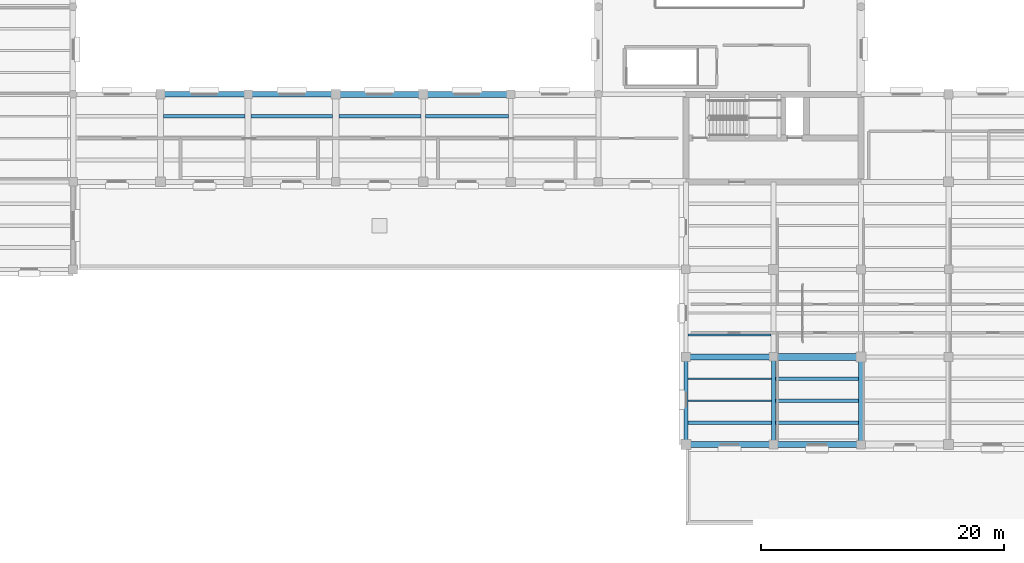
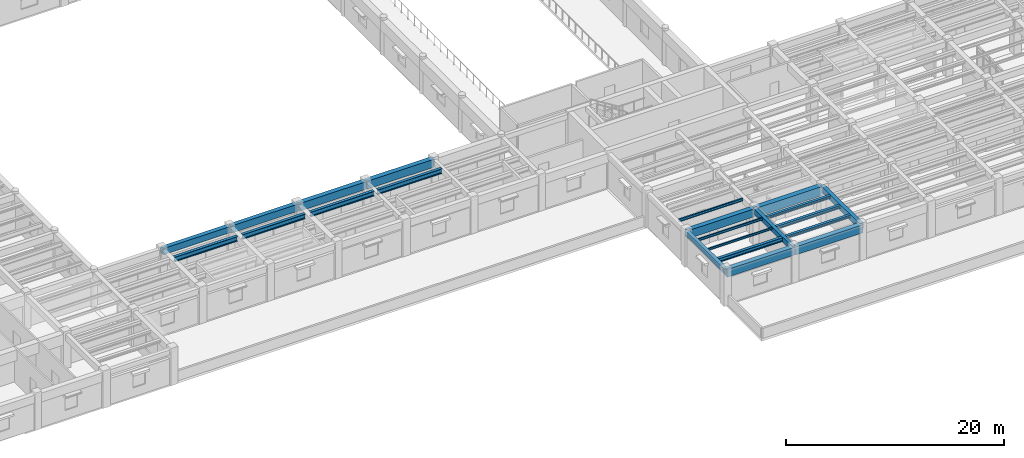
# One storey, part 7 of 76: 22 beams.
"""IFC4 building model written with IfcOpenShell, lengths in metres."""

from ifc_helpers import new_model, si_unit, direction, frame, origin, origin_2d, place, context, subcontext, project, spatial, rectangle, i_section, extrude, material, material_profile, profile_set, type_object, element, save


model = new_model("IFC4")

# Units and contexts
model_context = context("Model", 3, precision=1e-05, world=origin(), true_north=direction((0.0, 1.0)))
body_context = subcontext(model_context, "Body", "Model", "MODEL_VIEW")
ifc_project = project(units=[si_unit("LENGTHUNIT", "METRE"), si_unit("AREAUNIT", "SQUARE_METRE"), si_unit("VOLUMEUNIT", "CUBIC_METRE"), si_unit("PLANEANGLEUNIT", "RADIAN"), si_unit("MASSUNIT", "GRAM", prefix="KILO")], contexts=[model_context])

# Site, building, storey
site_placement = place(None, origin())
site = spatial("IfcSite", under=ifc_project, at=site_placement, CompositionType="ELEMENT")
building_placement = place(site_placement, origin())
building = spatial("IfcBuilding", under=site, at=building_placement, Name="Mithqara Police Headquarters", CompositionType="ELEMENT")
storey_placement = place(building_placement, frame((0.0, 0.0, 5.39990234375)))
storey = spatial("IfcBuildingStorey", under=building, at=storey_placement, Name="L01", CompositionType="ELEMENT", Elevation=5.39990234375)

# Beams
ifc_material_1 = material(Name="Steel S355JR", Category="steel")
ifc_material_profile_1 = material_profile(ifc_material_1, i_section(OverallWidth=0.300048828125, OverallDepth=0.300048828125, WebThickness=0.010986328125, FlangeThickness=0.01904296875, FilletRadius=0.027099609375, at=origin_2d()), Name="HEB 300")
ifc_profile_set_1 = profile_set([ifc_material_profile_1], Name="Steel S355JR")
beam_type_1 = type_object("IfcBeamType", Name="BEAM HEB300", PredefinedType="BEAM", material=ifc_profile_set_1)
beam_1_placement = place(storey_placement, frame((87.175048828125, 12.0, 3.77001953125), z_axis=(1.0, 0.0, 0.0), x_axis=(0.0, 1.0, 0.0)))
element("IfcBeam", 1, at=beam_1_placement, inside=storey, type_object=beam_type_1, Name="L01 Composite Steel Joist 13-14/B.3", PredefinedType="BEAM", context=body_context, shape_type="SweptSolid", body=[
    extrude(i_section(OverallWidth=0.300048828125, OverallDepth=0.300048828125, WebThickness=0.010986328125, FlangeThickness=0.01904296875, FilletRadius=0.027099609375, at=origin_2d()), origin(), (0.0, 0.0, 1.0), 6.824951171875),
])
ifc_material_profile_2 = material_profile(ifc_material_1, i_section(OverallWidth=0.300048828125, OverallDepth=0.449951171875, WebThickness=0.013916015625, FlangeThickness=0.02587890625, FilletRadius=0.027099609375, at=origin_2d()), Name="HEB 450")
ifc_profile_set_2 = profile_set([ifc_material_profile_2], Name="Steel S355JR")
beam_type_2 = type_object("IfcBeamType", Name="BEAM HEB450", PredefinedType="BEAM", material=ifc_profile_set_2)
beam_2_placement = place(storey_placement, frame((79.97509765625, 8.39990234375, 3.695068359375), z_axis=(1.0, 0.0, 0.0), x_axis=(0.0, 1.0, 0.0)))
element("IfcBeam", 2, at=beam_2_placement, inside=storey, type_object=beam_type_2, Name="L01 Composite Steel Joist 12-13/B.1", PredefinedType="BEAM", context=body_context, shape_type="SweptSolid", body=[
    extrude(i_section(OverallWidth=0.300048828125, OverallDepth=0.449951171875, WebThickness=0.013916015625, FlangeThickness=0.02587890625, FilletRadius=0.027099609375, at=origin_2d()), origin(), (0.0, 0.0, 1.0), 6.849853515625),
])
ifc_material_profile_3 = material_profile(ifc_material_1, i_section(OverallWidth=0.300048828125, OverallDepth=0.550048828125, WebThickness=0.014892578125, FlangeThickness=0.029052734375, FilletRadius=0.027099609375, at=origin_2d()), Name="HEB 550")
ifc_profile_set_3 = profile_set([ifc_material_profile_3], Name="Steel S355JR")
beam_type_3 = type_object("IfcBeamType", Name="BEAM HEB550", PredefinedType="BEAM", material=ifc_profile_set_3)
beam_3_placement = place(storey_placement, frame((36.85009765625, 33.60009765625, 3.64501953125), z_axis=(1.0, 0.0, 0.0), x_axis=(0.0, 1.0, 0.0)))
element("IfcBeam", 3, at=beam_3_placement, inside=storey, type_object=beam_type_3, Name="L01 Composite Steel Joist 6-7/E.3", PredefinedType="BEAM", context=body_context, shape_type="SweptSolid", body=[
    extrude(i_section(OverallWidth=0.300048828125, OverallDepth=0.550048828125, WebThickness=0.014892578125, FlangeThickness=0.029052734375, FilletRadius=0.027099609375, at=origin_2d()), origin(), (0.0, 0.0, 1.0), 6.699951171875),
])
beam_4_placement = place(storey_placement, frame((44.050048828125, 33.60009765625, 3.64501953125), z_axis=(1.0, 0.0, 0.0), x_axis=(0.0, 1.0, 0.0)))
element("IfcBeam", 4, at=beam_4_placement, inside=storey, type_object=beam_type_3, Name="L01 Composite Steel Joist 7-8/E.3", PredefinedType="BEAM", context=body_context, shape_type="SweptSolid", body=[
    extrude(i_section(OverallWidth=0.300048828125, OverallDepth=0.550048828125, WebThickness=0.014892578125, FlangeThickness=0.029052734375, FilletRadius=0.027099609375, at=origin_2d()), origin(), (0.0, 0.0, 1.0), 6.675048828125),
])
beam_5_placement = place(storey_placement, frame((51.27490234375, 33.60009765625, 3.64501953125), z_axis=(1.0, 0.0, 0.0), x_axis=(0.0, 1.0, 0.0)))
element("IfcBeam", 5, at=beam_5_placement, inside=storey, type_object=beam_type_3, Name="L01 Composite Steel Joist 8-9/E.3", PredefinedType="BEAM", context=body_context, shape_type="SweptSolid", body=[
    extrude(i_section(OverallWidth=0.300048828125, OverallDepth=0.550048828125, WebThickness=0.014892578125, FlangeThickness=0.029052734375, FilletRadius=0.027099609375, at=origin_2d()), origin(), (0.0, 0.0, 1.0), 6.75),
])
beam_6_placement = place(storey_placement, frame((58.375, 33.60009765625, 3.64501953125), z_axis=(1.0, 0.0, 0.0), x_axis=(0.0, 1.0, 0.0)))
element("IfcBeam", 6, at=beam_6_placement, inside=storey, type_object=beam_type_3, Name="L01 Composite Steel Joist 9-10/E.3", PredefinedType="BEAM", context=body_context, shape_type="SweptSolid", body=[
    extrude(i_section(OverallWidth=0.300048828125, OverallDepth=0.550048828125, WebThickness=0.014892578125, FlangeThickness=0.029052734375, FilletRadius=0.027099609375, at=origin_2d()), origin(), (0.0, 0.0, 1.0), 6.85009765625),
])
ifc_material_2 = material(Name="Concrete C40/50", Category="concrete")
ifc_material_profile_4 = material_profile(ifc_material_2, rectangle(XDim=0.35009765625, YDim=0.550048828125, at=origin_2d()), Name="RC 350x550")
ifc_profile_set_4 = profile_set([ifc_material_profile_4], Name="Concrete C40/50")
beam_type_4 = type_object("IfcBeamType", Name="BEAM RC350X550", PredefinedType="BEAM", material=ifc_profile_set_4)
beam_7_placement = place(storey_placement, frame((79.800048828125, 6.60009765625, 3.64501953125), z_axis=(0.0, 1.0, 0.0), x_axis=(-1.0, 0.0, 0.0)))
element("IfcBeam", 7, at=beam_7_placement, inside=storey, type_object=beam_type_4, Name="L01 Girder 12/B-C", PredefinedType="BEAM", context=body_context, shape_type="SweptSolid", body=[
    extrude(rectangle(XDim=0.35009765625, YDim=0.550048828125, at=origin_2d()), origin(), (0.0, 0.0, 1.0), 7.199951171875),
])
ifc_material_profile_5 = material_profile(ifc_material_2, rectangle(XDim=0.35009765625, YDim=0.60009765625, at=origin_2d()), Name="RC 350x600")
ifc_profile_set_5 = profile_set([ifc_material_profile_5], Name="Concrete C40/50")
beam_type_5 = type_object("IfcBeamType", Name="BEAM RC350X600", PredefinedType="BEAM", material=ifc_profile_set_5)
beam_8_placement = place(storey_placement, frame((87.0, 6.60009765625, 3.6201171875), z_axis=(0.0, 1.0, 0.0), x_axis=(-1.0, 0.0, 0.0)))
element("IfcBeam", 8, at=beam_8_placement, inside=storey, type_object=beam_type_5, Name="L01 Girder 13/B-C", PredefinedType="BEAM", context=body_context, shape_type="SweptSolid", body=[
    extrude(rectangle(XDim=0.35009765625, YDim=0.60009765625, at=origin_2d()), origin(), (0.0, 0.0, 1.0), 7.199951171875),
])
ifc_material_profile_6 = material_profile(ifc_material_2, rectangle(XDim=0.39990234375, YDim=0.64990234375, at=origin_2d()), Name="RC 400x650")
ifc_profile_set_6 = profile_set([ifc_material_profile_6], Name="Concrete C40/50")
beam_type_6 = type_object("IfcBeamType", Name="BEAM RC400X650", PredefinedType="BEAM", material=ifc_profile_set_6)
beam_9_placement = place(storey_placement, frame((94.199951171875, 6.60009765625, 3.59521484375), z_axis=(0.0, 1.0, 0.0), x_axis=(-1.0, 0.0, 0.0)))
element("IfcBeam", 9, at=beam_9_placement, inside=storey, type_object=beam_type_6, Name="L01 Girder 14/B-C", PredefinedType="BEAM", context=body_context, shape_type="SweptSolid", body=[
    extrude(rectangle(XDim=0.39990234375, YDim=0.64990234375, at=origin_2d()), origin(), (0.0, 0.0, 1.0), 7.199951171875),
])
ifc_material_profile_7 = material_profile(ifc_material_2, rectangle(XDim=0.449951171875, YDim=0.699951171875, at=origin_2d()), Name="RC 450x700")
ifc_profile_set_7 = profile_set([ifc_material_profile_7], Name="Concrete C40/50")
beam_type_7 = type_object("IfcBeamType", Name="BEAM RC450X700", PredefinedType="BEAM", material=ifc_profile_set_7)
beam_10_placement = place(storey_placement, frame((36.60009765625, 35.39990234375, 3.570068359375), z_axis=(1.0, 0.0, 0.0), x_axis=(0.0, 1.0, 0.0)))
element("IfcBeam", 10, at=beam_10_placement, inside=storey, type_object=beam_type_7, Name="L01 Girder 6-7/F", PredefinedType="BEAM", context=body_context, shape_type="SweptSolid", body=[
    extrude(rectangle(XDim=0.449951171875, YDim=0.699951171875, at=origin_2d()), origin(), (0.0, 0.0, 1.0), 7.199951171875),
])
ifc_material_profile_8 = material_profile(ifc_material_2, rectangle(XDim=0.449951171875, YDim=0.800048828125, at=origin_2d()), Name="RC 450x800")
ifc_profile_set_8 = profile_set([ifc_material_profile_8], Name="Concrete C40/50")
beam_type_8 = type_object("IfcBeamType", Name="BEAM RC450X800", PredefinedType="BEAM", material=ifc_profile_set_8)
beam_11_placement = place(storey_placement, frame((43.800048828125, 35.39990234375, 3.52001953125), z_axis=(1.0, 0.0, 0.0), x_axis=(0.0, 1.0, 0.0)))
element("IfcBeam", 11, at=beam_11_placement, inside=storey, type_object=beam_type_8, Name="L01 Girder 7-8/F", PredefinedType="BEAM", context=body_context, shape_type="SweptSolid", body=[
    extrude(rectangle(XDim=0.449951171875, YDim=0.800048828125, at=origin_2d()), origin(), (0.0, 0.0, 1.0), 7.199951171875),
])
ifc_material_profile_9 = material_profile(ifc_material_2, rectangle(XDim=0.5, YDim=0.85009765625, at=origin_2d()), Name="RC 500x850")
ifc_profile_set_9 = profile_set([ifc_material_profile_9], Name="Concrete C40/50")
beam_type_9 = type_object("IfcBeamType", Name="BEAM RC500X850", PredefinedType="BEAM", material=ifc_profile_set_9)
for number, where, z_axis, x_axis, name in (
    (12, (51.0, 35.39990234375, 3.4951171875), (1.0, 0.0, 0.0), (0.0, 1.0, 0.0), "L01 Girder 8-9/F"),
    (13, (79.800048828125, 6.60009765625, 3.4951171875), (1.0, 0.0, 0.0), (0.0, 1.0, 0.0), "L01 Girder 12-13/B"),
):
    element("IfcBeam", number, at=place(storey_placement, frame(where, z_axis=z_axis, x_axis=x_axis)), inside=storey, type_object=beam_type_9, Name=name, PredefinedType="BEAM", context=body_context, shape_type="SweptSolid", body=[
        extrude(rectangle(XDim=0.5, YDim=0.85009765625, at=origin_2d()), origin(), (0.0, 0.0, 1.0), 7.199951171875),
    ])
ifc_material_3 = material(Name="Concrete C50/60", Category="concrete")
ifc_material_profile_10 = material_profile(ifc_material_3, rectangle(XDim=0.5, YDim=0.89990234375, at=origin_2d()), Name="RC 500x900")
ifc_profile_set_10 = profile_set([ifc_material_profile_10], Name="Concrete C50/60")
beam_type_10 = type_object("IfcBeamType", Name="BEAM RC500X900", PredefinedType="BEAM", material=ifc_profile_set_10)
for number, where, z_axis, x_axis, name in (
    (14, (58.199951171875, 35.39990234375, 3.47021484375), (1.0, 0.0, 0.0), (0.0, 1.0, 0.0), "L01 Girder 9-10/F"),
    (15, (79.800048828125, 13.800048828125, 3.47021484375), (1.0, 0.0, 0.0), (0.0, 1.0, 0.0), "L01 Girder 12-13/C"),
    (16, (87.0, 6.60009765625, 3.47021484375), (1.0, 0.0, 0.0), (0.0, 1.0, 0.0), "L01 Girder 13-14/B"),
):
    element("IfcBeam", number, at=place(storey_placement, frame(where, z_axis=z_axis, x_axis=x_axis)), inside=storey, type_object=beam_type_10, Name=name, PredefinedType="BEAM", context=body_context, shape_type="SweptSolid", body=[
        extrude(rectangle(XDim=0.5, YDim=0.89990234375, at=origin_2d()), origin(), (0.0, 0.0, 1.0), 7.199951171875),
    ])
ifc_material_profile_11 = material_profile(ifc_material_3, rectangle(XDim=0.550048828125, YDim=1.0, at=origin_2d()), Name="RC 550x1000")
ifc_profile_set_11 = profile_set([ifc_material_profile_11], Name="Concrete C50/60")
beam_type_11 = type_object("IfcBeamType", Name="BEAM RC550X1000", PredefinedType="BEAM", material=ifc_profile_set_11)
beam_12_placement = place(storey_placement, frame((87.0, 13.800048828125, 3.420166015625), z_axis=(1.0, 0.0, 0.0), x_axis=(0.0, 1.0, 0.0)))
element("IfcBeam", 17, at=beam_12_placement, inside=storey, type_object=beam_type_11, Name="L01 Girder 13-14/C", PredefinedType="BEAM", context=body_context, shape_type="SweptSolid", body=[
    extrude(rectangle(XDim=0.550048828125, YDim=1.0, at=origin_2d()), origin(), (0.0, 0.0, 1.0), 7.199951171875),
])
ifc_material_profile_12 = material_profile(ifc_material_1, i_section(OverallWidth=0.300048828125, OverallDepth=0.2900390625, WebThickness=0.008544921875, FlangeThickness=0.013916015625, FilletRadius=0.027099609375, at=origin_2d()), Name="HEA 300")
ifc_profile_set_12 = profile_set([ifc_material_profile_12], Name="Steel S355JR")
beam_type_12 = type_object("IfcBeamType", Name="JOIST HEA300", PredefinedType="JOIST", material=ifc_profile_set_12)
beam_13_placement = place(storey_placement, frame((87.175048828125, 8.39990234375, 3.775146484375), z_axis=(1.0, 0.0, 0.0), x_axis=(0.0, 1.0, 0.0)))
element("IfcBeam", 18, at=beam_13_placement, inside=storey, type_object=beam_type_12, Name="L01 Composite Steel Joist 13-14/B.1", PredefinedType="JOIST", context=body_context, shape_type="SweptSolid", body=[
    extrude(i_section(OverallWidth=0.300048828125, OverallDepth=0.2900390625, WebThickness=0.008544921875, FlangeThickness=0.013916015625, FilletRadius=0.027099609375, at=origin_2d()), origin(), (0.0, 0.0, 1.0), 6.824951171875),
])
ifc_material_profile_13 = material_profile(ifc_material_1, i_section(OverallWidth=0.300048828125, OverallDepth=0.330078125, WebThickness=0.009521484375, FlangeThickness=0.0166015625, FilletRadius=0.027099609375, at=origin_2d()), Name="HEA 340")
ifc_profile_set_13 = profile_set([ifc_material_profile_13], Name="Steel S355JR")
beam_type_13 = type_object("IfcBeamType", Name="JOIST HEA340", PredefinedType="JOIST", material=ifc_profile_set_13)
beam_14_placement = place(storey_placement, frame((87.175048828125, 10.199951171875, 3.755126953125), z_axis=(1.0, 0.0, 0.0), x_axis=(0.0, 1.0, 0.0)))
element("IfcBeam", 19, at=beam_14_placement, inside=storey, type_object=beam_type_13, Name="L01 Composite Steel Joist 13-14/B.2", PredefinedType="JOIST", context=body_context, shape_type="SweptSolid", body=[
    extrude(i_section(OverallWidth=0.300048828125, OverallDepth=0.330078125, WebThickness=0.009521484375, FlangeThickness=0.0166015625, FilletRadius=0.027099609375, at=origin_2d()), origin(), (0.0, 0.0, 1.0), 6.824951171875),
])
ifc_material_profile_14 = material_profile(ifc_material_1, i_section(OverallWidth=0.1201171875, OverallDepth=0.239990234375, WebThickness=0.006103515625, FlangeThickness=0.009765625, FilletRadius=0.014892578125, at=origin_2d()), Name="IPE 240")
ifc_profile_set_14 = profile_set([ifc_material_profile_14], Name="Steel S355JR")
beam_type_14 = type_object("IfcBeamType", Name="JOIST IPE240", PredefinedType="JOIST", material=ifc_profile_set_14)
beam_15_placement = place(storey_placement, frame((79.97509765625, 10.199951171875, 3.800048828125), z_axis=(1.0, 0.0, 0.0), x_axis=(0.0, 1.0, 0.0)))
element("IfcBeam", 20, at=beam_15_placement, inside=storey, type_object=beam_type_14, Name="L01 Composite Steel Joist 12-13/B.2", PredefinedType="JOIST", context=body_context, shape_type="SweptSolid", body=[
    extrude(i_section(OverallWidth=0.1201171875, OverallDepth=0.239990234375, WebThickness=0.006103515625, FlangeThickness=0.009765625, FilletRadius=0.014892578125, at=origin_2d()), origin(), (0.0, 0.0, 1.0), 6.849853515625),
])
ifc_material_profile_15 = material_profile(ifc_material_1, i_section(OverallWidth=0.135009765625, OverallDepth=0.27001953125, WebThickness=0.006591796875, FlangeThickness=0.01025390625, FilletRadius=0.014892578125, at=origin_2d()), Name="IPE 270")
ifc_profile_set_15 = profile_set([ifc_material_profile_15], Name="Steel S355JR")
beam_type_15 = type_object("IfcBeamType", Name="JOIST IPE270", PredefinedType="JOIST", material=ifc_profile_set_15)
beam_16_placement = place(storey_placement, frame((79.97509765625, 12.0, 3.78515625), z_axis=(1.0, 0.0, 0.0), x_axis=(0.0, 1.0, 0.0)))
element("IfcBeam", 21, at=beam_16_placement, inside=storey, type_object=beam_type_15, Name="L01 Composite Steel Joist 12-13/B.3", PredefinedType="JOIST", context=body_context, shape_type="SweptSolid", body=[
    extrude(i_section(OverallWidth=0.135009765625, OverallDepth=0.27001953125, WebThickness=0.006591796875, FlangeThickness=0.01025390625, FilletRadius=0.014892578125, at=origin_2d()), origin(), (0.0, 0.0, 1.0), 6.849853515625),
])
ifc_material_profile_16 = material_profile(ifc_material_1, i_section(OverallWidth=0.14990234375, OverallDepth=0.300048828125, WebThickness=0.007080078125, FlangeThickness=0.0107421875, FilletRadius=0.014892578125, at=origin_2d()), Name="IPE 300")
ifc_profile_set_16 = profile_set([ifc_material_profile_16], Name="Steel S355JR")
beam_type_16 = type_object("IfcBeamType", Name="JOIST IPE300", PredefinedType="JOIST", material=ifc_profile_set_16)
beam_17_placement = place(storey_placement, frame((79.97509765625, 15.60009765625, 3.77001953125), z_axis=(1.0, 0.0, 0.0), x_axis=(0.0, 1.0, 0.0)))
element("IfcBeam", 22, at=beam_17_placement, inside=storey, type_object=beam_type_16, Name="L01 Composite Steel Joist 12-13/C.1", PredefinedType="JOIST", context=body_context, shape_type="SweptSolid", body=[
    extrude(i_section(OverallWidth=0.14990234375, OverallDepth=0.300048828125, WebThickness=0.007080078125, FlangeThickness=0.0107421875, FilletRadius=0.014892578125, at=origin_2d()), origin(), (0.0, 0.0, 1.0), 6.824951171875),
])

save(model, "model.ifc")
